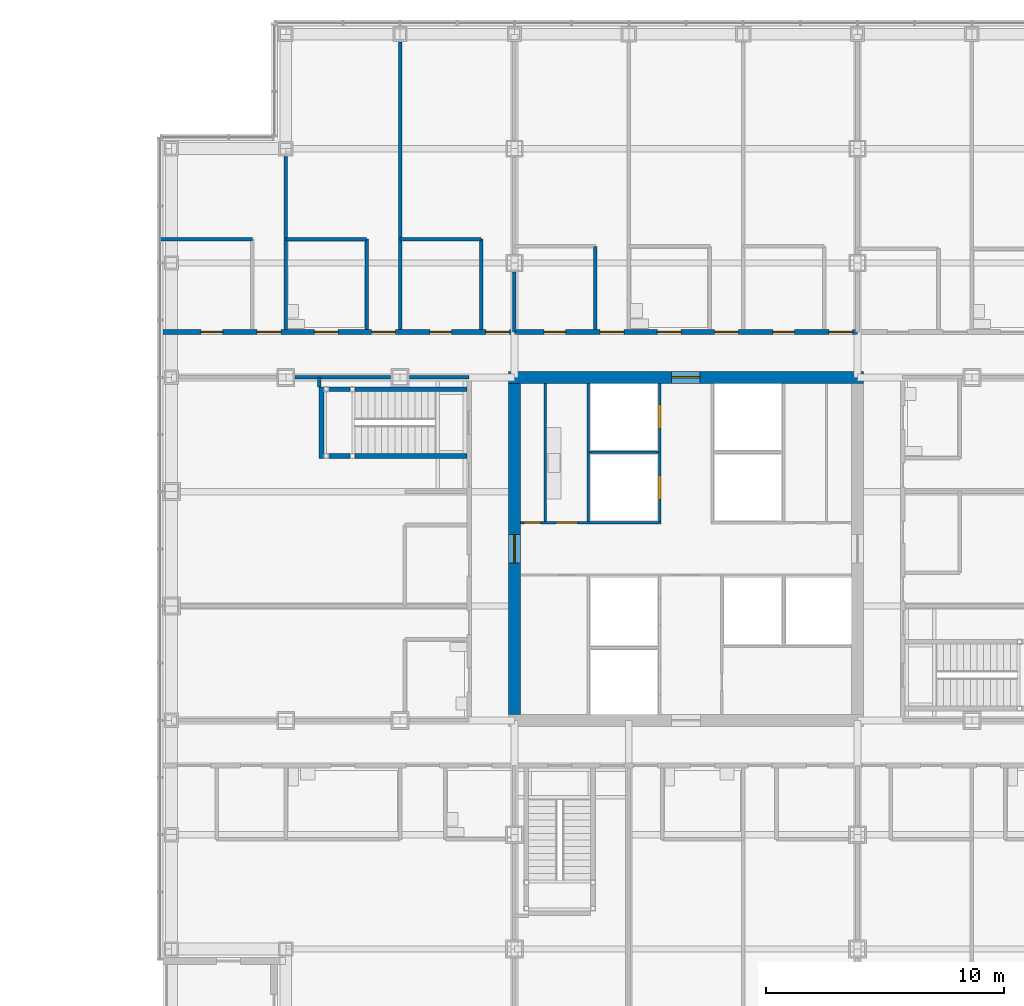
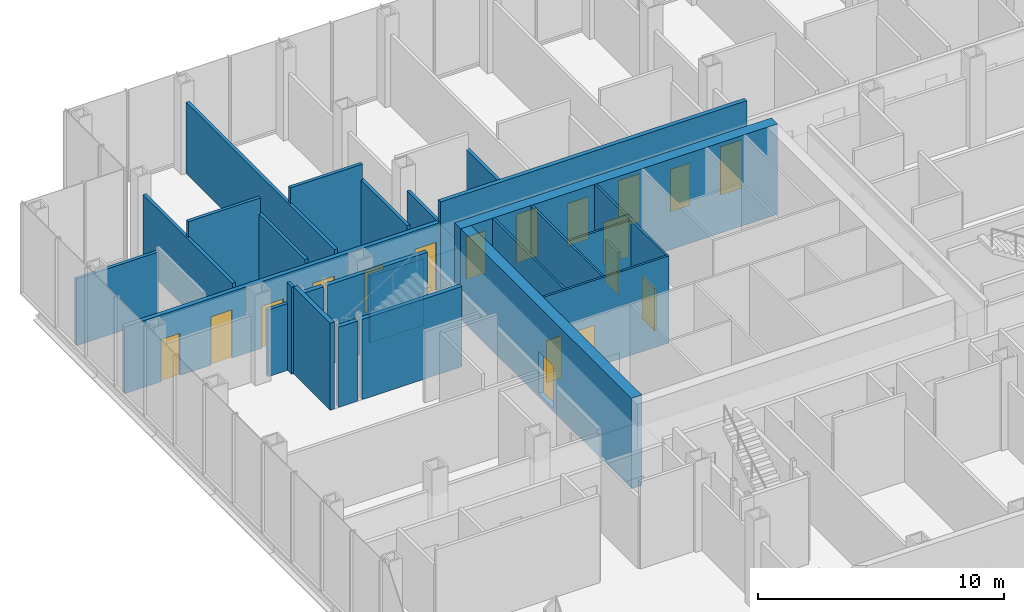
# One storey, part 18 of 24: 26 walls, 18 doors, 18 openings.
"""IFC4 building model written with IfcOpenShell, lengths in metres."""

from ifc_helpers import new_model, si_unit, direction, frame, frame_2d, origin, place, context, subcontext, project, spatial, rectangle, extrude, material, layer, layer_set, type_object, element, fill, save


model = new_model("IFC4")

# Units and contexts
model_context = context("Model", 3, precision=1e-05, world=origin(), true_north=direction((0.0, 1.0)))
body_context = subcontext(model_context, "Body", "Model", "MODEL_VIEW")
ifc_project = project(units=[si_unit("LENGTHUNIT", "METRE"), si_unit("AREAUNIT", "SQUARE_METRE"), si_unit("VOLUMEUNIT", "CUBIC_METRE"), si_unit("PLANEANGLEUNIT", "RADIAN"), si_unit("MASSUNIT", "GRAM", prefix="KILO")], contexts=[model_context])

# Site, building, storey
site_placement = place(None, origin())
site = spatial("IfcSite", under=ifc_project, at=site_placement, CompositionType="ELEMENT")
building_placement = place(site_placement, origin())
building = spatial("IfcBuilding", under=site, at=building_placement, Name="Kvirike Care Tower", CompositionType="ELEMENT")
storey_placement = place(building_placement, frame((0.0, 0.0, 22.5)))
storey = spatial("IfcBuildingStorey", under=building, at=storey_placement, Name="L05", CompositionType="ELEMENT", Elevation=22.5)

# Walls
ifc_material_1 = material(Name="Plasterboard partition", Category="gypsum")
ifc_layer_1 = layer(ifc_material_1, 0.14990234375)
ifc_layer_set_1 = layer_set([ifc_layer_1], Name="CLINIC PARTITION 150")
wall_type_1 = type_object("IfcWallType", Name="CLINIC PARTITION 150", PredefinedType="PARTITIONING", material=ifc_layer_set_1)
wall_1_placement = place(storey_placement, frame((6.199951171875, 43.199951171875, 0.0), z_axis=(0.0, 0.0, 1.0), x_axis=(0.0, -1.0, 0.0)))
element("IfcWall", 1, at=wall_1_placement, inside=storey, type_object=wall_type_1, Name="Clinic Partition 150 L05", PredefinedType="PARTITIONING", context=body_context, shape_type="SweptSolid", body=[
    extrude(rectangle(XDim=0.39990234375, YDim=0.14990234375, at=frame_2d((0.199951171875, 0.0))), origin(), (0.0, 0.0, 1.0), 4.330078125),
])
wall_2_placement = place(storey_placement, frame((13.0, 49.0, 0.0), z_axis=(0.0, 0.0, 1.0), x_axis=(0.0, -1.0, 0.0)))
element("IfcWall", 2, at=wall_2_placement, inside=storey, type_object=wall_type_1, Name="Clinic Partition 150 L05", PredefinedType="PARTITIONING", context=body_context, shape_type="SweptSolid", body=[
    extrude(rectangle(XDim=3.800048828125, YDim=0.14990234375, at=frame_2d((1.89990234375, 0.0))), origin(), (0.0, 0.0, 1.0), 3.550048828125),
])
wall_3_placement = place(storey_placement, frame((13.0, 49.0, 0.0), z_axis=(0.0, 0.0, 1.0), x_axis=(-1.0, 0.0, 0.0)))
element("IfcWall", 3, at=wall_3_placement, inside=storey, type_object=wall_type_1, Name="Clinic Partition 150 L05", PredefinedType="PARTITIONING", context=body_context, shape_type="SweptSolid", body=[
    extrude(rectangle(XDim=3.39990234375, YDim=0.14990234375, at=frame_2d((1.699951171875, 0.0))), origin(), (0.0, 0.0, 1.0), 4.330078125),
])
wall_4_placement = place(storey_placement, frame((8.199951171875, 49.0, 0.0), z_axis=(0.0, 0.0, 1.0), x_axis=(0.0, -1.0, 0.0)))
element("IfcWall", 4, at=wall_4_placement, inside=storey, type_object=wall_type_1, Name="Clinic Partition 150 L05", PredefinedType="PARTITIONING", context=body_context, shape_type="SweptSolid", body=[
    extrude(rectangle(XDim=3.800048828125, YDim=0.14990234375, at=frame_2d((1.89990234375, 0.0))), origin(), (0.0, 0.0, 1.0), 3.550048828125),
])
wall_5_placement = place(storey_placement, frame((8.199951171875, 49.0, 0.0), z_axis=(0.0, 0.0, 1.0), x_axis=(-1.0, 0.0, 0.0)))
element("IfcWall", 5, at=wall_5_placement, inside=storey, type_object=wall_type_1, Name="Clinic Partition 150 L05", PredefinedType="PARTITIONING", context=body_context, shape_type="SweptSolid", body=[
    extrude(rectangle(XDim=3.39990234375, YDim=0.14990234375, at=frame_2d((1.699951171875, 0.0))), origin(), (0.0, 0.0, 1.0), 4.330078125),
])
wall_6_placement = place(storey_placement, frame((3.39990234375, 49.0, 0.0), z_axis=(0.0, 0.0, 1.0), x_axis=(-1.0, 0.0, 0.0)))
element("IfcWall", 6, at=wall_6_placement, inside=storey, type_object=wall_type_1, Name="Clinic Partition 150 L05", PredefinedType="PARTITIONING", context=body_context, shape_type="SweptSolid", body=[
    extrude(rectangle(XDim=3.85498046875, YDim=0.14990234375, at=frame_2d((1.927490234375, 0.0))), origin(), (0.0, 0.0, 1.0), 3.320068359375),
])
wall_7_placement = place(storey_placement, frame((9.60009765625, 57.280029296875, 0.0), z_axis=(0.0, 0.0, 1.0), x_axis=(0.0, -1.0, 0.0)))
element("IfcWall", 7, at=wall_7_placement, inside=storey, type_object=wall_type_1, Name="Clinic Partition 150 L05", PredefinedType="PARTITIONING", context=body_context, shape_type="SweptSolid", body=[
    extrude(rectangle(XDim=12.080078125, YDim=0.14990234375, at=frame_2d((6.0400390625, 0.0))), origin(), (0.0, 0.0, 1.0), 3.550048828125),
])
wall_8_placement = place(storey_placement, frame((4.800048828125, 52.47998046875, 0.0), z_axis=(0.0, 0.0, 1.0), x_axis=(0.0, -1.0, 0.0)))
element("IfcWall", 8, at=wall_8_placement, inside=storey, type_object=wall_type_1, Name="Clinic Partition 150 L05", PredefinedType="PARTITIONING", context=body_context, shape_type="SweptSolid", body=[
    extrude(rectangle(XDim=7.280029296875, YDim=0.14990234375, at=frame_2d((3.64013671875, 0.0))), origin(), (0.0, 0.0, 1.0), 3.550048828125),
])
wall_9_placement = place(storey_placement, frame((17.800048828125, 48.699951171875, 0.0), z_axis=(0.0, 0.0, 1.0), x_axis=(0.0, -1.0, 0.0)))
element("IfcWall", 9, at=wall_9_placement, inside=storey, type_object=wall_type_1, Name="Clinic Partition 150 L05", PredefinedType="PARTITIONING", context=body_context, shape_type="SweptSolid", body=[
    extrude(rectangle(XDim=3.5, YDim=0.14990234375, at=frame_2d((1.75, 0.0))), origin(), (0.0, 0.0, 1.0), 3.550048828125),
])
wall_10_placement = place(storey_placement, frame((12.5, 43.199951171875, 0.0), z_axis=(0.0, 0.0, 1.0), x_axis=(-1.0, 0.0, 0.0)))
element("IfcWall", 10, at=wall_10_placement, inside=storey, type_object=wall_type_1, Name="Clinic Partition 150 L05", PredefinedType="PARTITIONING", context=body_context, shape_type="SweptSolid", body=[
    extrude(rectangle(XDim=2.5048828125, YDim=0.14990234375, at=frame_2d((1.25244140625, 0.0))), origin(), (0.0, 0.0, 1.0), 3.320068359375),
])
wall_11_placement = place(storey_placement, frame((9.205078125, 43.199951171875, 0.0), z_axis=(0.0, 0.0, 1.0), x_axis=(-1.0, 0.0, 0.0)))
element("IfcWall", 11, at=wall_11_placement, inside=storey, type_object=wall_type_1, Name="Clinic Partition 150 L05", PredefinedType="PARTITIONING", context=body_context, shape_type="SweptSolid", body=[
    extrude(rectangle(XDim=4.010009765625, YDim=0.14990234375, at=frame_2d((2.0048828125, 0.0))), origin(), (0.0, 0.0, 1.0), 3.320068359375),
])
wall_12_placement = place(storey_placement, frame((14.39990234375, 45.10009765625, 0.0), z_axis=(0.0, 0.0, 1.0), x_axis=(0.0, 1.0, 0.0)))
element("IfcWall", 12, at=wall_12_placement, inside=storey, type_object=wall_type_1, Name="Clinic Partition 150 L05", PredefinedType="PARTITIONING", context=body_context, shape_type="SweptSolid", body=[
    extrude(rectangle(XDim=2.52978515625, YDim=0.14990234375, at=frame_2d((1.264892578125, 0.0))), origin(), (0.0, 0.0, 1.0), 3.320068359375),
])

# Wall, opening, door
ifc_material_2 = material(Name="Concrete C60/75", Category="concrete")
ifc_layer_2 = layer(ifc_material_2, 0.5)
ifc_layer_set_2 = layer_set([ifc_layer_2], Name="CORE WALL 500 C60-75")
wall_type_2 = type_object("IfcWallType", Name="CORE WALL 500 C60-75", PredefinedType="SHEAR", material=ifc_layer_set_2)
wall_13_placement = place(storey_placement, frame((29.050048828125, 43.199951171875, -0.169921875), z_axis=(0.0, 0.0, 1.0), x_axis=(-1.0, 0.0, 0.0)))
wall_13 = element("IfcWall", 13, at=wall_13_placement, inside=storey, type_object=wall_type_2, Name="Core wall N L05", PredefinedType="SHEAR", context=body_context, shape_type="SweptSolid", body=[
    extrude(rectangle(XDim=14.900146484375, YDim=0.5, at=frame_2d((7.4501953125, 0.0))), origin(), (0.0, 0.0, 1.0), 4.5),
])
opening_1_placement = place(wall_13_placement, frame((6.85009765625, 0.0, 0.169921875)))
opening_1 = element("IfcOpeningElement", 14, at=opening_1_placement, cuts=wall_13, Name="Opening 05-063", PredefinedType="OPENING", context=body_context, shape_type="SweptSolid", body=[
    extrude(rectangle(XDim=1.199951171875, YDim=2.10009765625, at=frame_2d((0.60009765625, 1.050048828125))), frame((0.0, 0.260498046875, 0.0), z_axis=(0.0, -1.0, 0.0), x_axis=(1.0, 0.0, 0.0)), (0.0, 0.0, 1.0), 0.52099609375),
])
ifc_material_3 = material(Name="Timber door set", Category="wood")
door_type_1 = type_object("IfcDoorType", Name="CORE DOOR 1200", OperationType="SINGLE_SWING_LEFT", PredefinedType="DOOR", material=ifc_material_3)
door_1_placement = place(opening_1_placement, origin())
door_1 = element("IfcDoor", 15, at=door_1_placement, inside=storey, type_object=door_type_1, Name="Core door N L05", OperationType="SINGLE_SWING_LEFT", OverallHeight=2.10009765625, OverallWidth=1.199951171875, PredefinedType="DOOR", context=body_context, shape_type="SweptSolid", body=[
    extrude(rectangle(XDim=1.199951171875, YDim=2.10009765625, at=frame_2d((0.60009765625, 1.050048828125))), frame((0.0, 0.02685546875, 0.0), z_axis=(0.0, -1.0, 0.0), x_axis=(1.0, 0.0, 0.0)), (0.0, 0.0, 1.0), 0.053955078125),
])
fill(opening_1, door_1)

wall_14_placement = place(storey_placement, frame((14.39990234375, 42.949951171875, -0.169921875), z_axis=(0.0, 0.0, 1.0), x_axis=(0.0, -1.0, 0.0)))
wall_14 = element("IfcWall", 16, at=wall_14_placement, inside=storey, type_object=wall_type_2, Name="Core wall W L05", PredefinedType="SHEAR", context=body_context, shape_type="SweptSolid", body=[
    extrude(rectangle(XDim=13.89990234375, YDim=0.5, at=frame_2d((6.949951171875, 0.0))), origin(), (0.0, 0.0, 1.0), 4.5),
])
opening_2_placement = place(wall_14_placement, frame((6.35009765625, 0.0, 0.169921875)))
opening_2 = element("IfcOpeningElement", 17, at=opening_2_placement, cuts=wall_14, Name="Opening 05-061", PredefinedType="OPENING", context=body_context, shape_type="SweptSolid", body=[
    extrude(rectangle(XDim=1.199951171875, YDim=2.10009765625, at=frame_2d((0.60009765625, 1.050048828125))), frame((0.0, 0.260498046875, 0.0), z_axis=(0.0, -1.0, 0.0), x_axis=(1.0, 0.0, 0.0)), (0.0, 0.0, 1.0), 0.52099609375),
])
door_2_placement = place(opening_2_placement, origin())
door_2 = element("IfcDoor", 18, at=door_2_placement, inside=storey, type_object=door_type_1, Name="Core door W L05", OperationType="SINGLE_SWING_LEFT", OverallHeight=2.10009765625, OverallWidth=1.199951171875, PredefinedType="DOOR", context=body_context, shape_type="SweptSolid", body=[
    extrude(rectangle(XDim=1.199951171875, YDim=2.10009765625, at=frame_2d((0.60009765625, 1.050048828125))), frame((0.0, 0.02685546875, 0.0), z_axis=(0.0, -1.0, 0.0), x_axis=(1.0, 0.0, 0.0)), (0.0, 0.0, 1.0), 0.053955078125),
])
fill(opening_2, door_2)

# Wall, openings, doors
ifc_material_4 = material(Name="Plasterboard corridor wall", Category="gypsum")
ifc_layer_3 = layer(ifc_material_4, 0.199951171875)
ifc_layer_set_3 = layer_set([ifc_layer_3], Name="CORRIDOR WALL 200")
wall_type_3 = type_object("IfcWallType", Name="CORRIDOR WALL 200", PredefinedType="PARTITIONING", material=ifc_layer_set_3)
wall_15_placement = place(storey_placement, frame((14.39990234375, 45.10009765625, 0.0), z_axis=(0.0, 0.0, 1.0), x_axis=(-1.0, 0.0, 0.0)))
wall_15 = element("IfcWall", 19, at=wall_15_placement, inside=storey, type_object=wall_type_3, Name="Corridor Wall 200 L05", PredefinedType="PARTITIONING", context=body_context, shape_type="SweptSolid", body=[
    extrude(rectangle(XDim=14.85498046875, YDim=0.199951171875, at=frame_2d((7.427490234375, 0.0))), origin(), (0.0, 0.0, 1.0), 3.320068359375),
])
opening_3_placement = place(wall_15_placement, frame((0.199951171875, 0.0, 0.0)))
opening_3 = element("IfcOpeningElement", 20, at=opening_3_placement, cuts=wall_15, Name="Opening 05-011", PredefinedType="OPENING", context=body_context, shape_type="SweptSolid", body=[
    extrude(rectangle(XDim=1.0, YDim=2.39990234375, at=frame_2d((0.5, 1.199951171875))), frame((0.0, 0.110595703125, 0.0), z_axis=(0.0, -1.0, 0.0), x_axis=(1.0, 0.0, 0.0)), (0.0, 0.0, 1.0), 0.220947265625),
])
opening_4_placement = place(wall_15_placement, frame((5.0, 0.0, 0.0)))
opening_4 = element("IfcOpeningElement", 21, at=opening_4_placement, cuts=wall_15, Name="Opening 05-012", PredefinedType="OPENING", context=body_context, shape_type="SweptSolid", body=[
    extrude(rectangle(XDim=1.0, YDim=2.39990234375, at=frame_2d((0.5, 1.199951171875))), frame((0.0, 0.110595703125, 0.0), z_axis=(0.0, -1.0, 0.0), x_axis=(1.0, 0.0, 0.0)), (0.0, 0.0, 1.0), 0.220947265625),
])
opening_5_placement = place(wall_15_placement, frame((9.800048828125, 0.0, 0.0)))
opening_5 = element("IfcOpeningElement", 22, at=opening_5_placement, cuts=wall_15, Name="Opening 05-013", PredefinedType="OPENING", context=body_context, shape_type="SweptSolid", body=[
    extrude(rectangle(XDim=1.0, YDim=2.39990234375, at=frame_2d((0.5, 1.199951171875))), frame((0.0, 0.110595703125, 0.0), z_axis=(0.0, -1.0, 0.0), x_axis=(1.0, 0.0, 0.0)), (0.0, 0.0, 1.0), 0.220947265625),
])
opening_6_placement = place(wall_15_placement, frame((2.64990234375, 0.0, 0.0)))
opening_6 = element("IfcOpeningElement", 23, at=opening_6_placement, cuts=wall_15, Name="Opening 05-014", PredefinedType="OPENING", context=body_context, shape_type="SweptSolid", body=[
    extrude(rectangle(XDim=0.89990234375, YDim=2.10009765625, at=frame_2d((0.449951171875, 1.050048828125))), frame((0.0, 0.110595703125, 0.0), z_axis=(0.0, -1.0, 0.0), x_axis=(1.0, 0.0, 0.0)), (0.0, 0.0, 1.0), 0.220947265625),
])
opening_7_placement = place(wall_15_placement, frame((7.39990234375, 0.0, 0.0)))
opening_7 = element("IfcOpeningElement", 24, at=opening_7_placement, cuts=wall_15, Name="Opening 05-015", PredefinedType="OPENING", context=body_context, shape_type="SweptSolid", body=[
    extrude(rectangle(XDim=1.0, YDim=2.10009765625, at=frame_2d((0.5, 1.050048828125))), frame((0.0, 0.110595703125, 0.0), z_axis=(0.0, -1.0, 0.0), x_axis=(1.0, 0.0, 0.0)), (0.0, 0.0, 1.0), 0.220947265625),
])
opening_8_placement = place(wall_15_placement, frame((12.25, 0.0, 0.0)))
opening_8 = element("IfcOpeningElement", 25, at=opening_8_placement, cuts=wall_15, Name="Opening 05-016", PredefinedType="OPENING", context=body_context, shape_type="SweptSolid", body=[
    extrude(rectangle(XDim=0.89990234375, YDim=2.10009765625, at=frame_2d((0.449951171875, 1.050048828125))), frame((0.0, 0.110595703125, 0.0), z_axis=(0.0, -1.0, 0.0), x_axis=(1.0, 0.0, 0.0)), (0.0, 0.0, 1.0), 0.220947265625),
])
ifc_material_5 = material(Name="Timber door set", Category="wood")
door_type_2 = type_object("IfcDoorType", Name="CONSULTING ROOM DOOR 1000", OperationType="SINGLE_SWING_LEFT", PredefinedType="DOOR", material=ifc_material_5)
door_3_placement = place(opening_3_placement, frame((1.0, 0.0, 0.0), z_axis=(0.0, 0.0, 1.0), x_axis=(-1.0, 0.0, 0.0)))
door_3 = element("IfcDoor", 26, at=door_3_placement, inside=storey, type_object=door_type_2, Name="Counselling room door", OperationType="SINGLE_SWING_RIGHT", OverallHeight=2.39990234375, OverallWidth=1.0, PredefinedType="DOOR", context=body_context, shape_type="SweptSolid", body=[
    extrude(rectangle(XDim=1.0, YDim=2.39990234375, at=frame_2d((0.5, 1.199951171875))), frame((0.0, 0.02685546875, 0.0), z_axis=(0.0, -1.0, 0.0), x_axis=(1.0, 0.0, 0.0)), (0.0, 0.0, 1.0), 0.053955078125),
])
fill(opening_3, door_3)
door_4_placement = place(opening_4_placement, frame((1.0, 0.0, 0.0), z_axis=(0.0, 0.0, 1.0), x_axis=(-1.0, 0.0, 0.0)))
door_4 = element("IfcDoor", 27, at=door_4_placement, inside=storey, type_object=door_type_2, Name="Vestry door", OperationType="SINGLE_SWING_LEFT", OverallHeight=2.39990234375, OverallWidth=1.0, PredefinedType="DOOR", context=body_context, shape_type="SweptSolid", body=[
    extrude(rectangle(XDim=1.0, YDim=2.39990234375, at=frame_2d((0.5, 1.199951171875))), frame((0.0, 0.02685546875, 0.0), z_axis=(0.0, -1.0, 0.0), x_axis=(1.0, 0.0, 0.0)), (0.0, 0.0, 1.0), 0.053955078125),
])
fill(opening_4, door_4)
door_5_placement = place(opening_5_placement, frame((1.0, 0.0, 0.0), z_axis=(0.0, 0.0, 1.0), x_axis=(-1.0, 0.0, 0.0)))
door_5 = element("IfcDoor", 28, at=door_5_placement, inside=storey, type_object=door_type_2, Name="Quiet room door", OperationType="SINGLE_SWING_LEFT", OverallHeight=2.39990234375, OverallWidth=1.0, PredefinedType="DOOR", context=body_context, shape_type="SweptSolid", body=[
    extrude(rectangle(XDim=1.0, YDim=2.39990234375, at=frame_2d((0.5, 1.199951171875))), frame((0.0, 0.02685546875, 0.0), z_axis=(0.0, -1.0, 0.0), x_axis=(1.0, 0.0, 0.0)), (0.0, 0.0, 1.0), 0.053955078125),
])
fill(opening_5, door_5)
ifc_material_6 = material(Name="Timber door set", Category="wood")
door_type_3 = type_object("IfcDoorType", Name="STORE DOOR 900", OperationType="SINGLE_SWING_LEFT", PredefinedType="DOOR", material=ifc_material_6)
door_6_placement = place(opening_6_placement, frame((0.89990234375, 0.0, 0.0), z_axis=(0.0, 0.0, 1.0), x_axis=(-1.0, 0.0, 0.0)))
door_6 = element("IfcDoor", 29, at=door_6_placement, inside=storey, type_object=door_type_3, Name="Store door", OperationType="SINGLE_SWING_LEFT", OverallHeight=2.10009765625, OverallWidth=0.89990234375, PredefinedType="DOOR", context=body_context, shape_type="SweptSolid", body=[
    extrude(rectangle(XDim=0.89990234375, YDim=2.10009765625, at=frame_2d((0.449951171875, 1.050048828125))), frame((0.0, 0.02685546875, 0.0), z_axis=(0.0, -1.0, 0.0), x_axis=(1.0, 0.0, 0.0)), (0.0, 0.0, 1.0), 0.053955078125),
])
fill(opening_6, door_6)
door_7_placement = place(opening_8_placement, frame((0.89990234375, 0.0, 0.0), z_axis=(0.0, 0.0, 1.0), x_axis=(-1.0, 0.0, 0.0)))
door_7 = element("IfcDoor", 30, at=door_7_placement, inside=storey, type_object=door_type_3, Name="Store door", OperationType="SINGLE_SWING_RIGHT", OverallHeight=2.10009765625, OverallWidth=0.89990234375, PredefinedType="DOOR", context=body_context, shape_type="SweptSolid", body=[
    extrude(rectangle(XDim=0.89990234375, YDim=2.10009765625, at=frame_2d((0.449951171875, 1.050048828125))), frame((0.0, 0.02685546875, 0.0), z_axis=(0.0, -1.0, 0.0), x_axis=(1.0, 0.0, 0.0)), (0.0, 0.0, 1.0), 0.053955078125),
])
fill(opening_8, door_7)
ifc_material_7 = material(Name="Timber door set", Category="wood")
door_type_4 = type_object("IfcDoorType", Name="WC DOOR 1000", OperationType="SINGLE_SWING_LEFT", PredefinedType="DOOR", material=ifc_material_7)
door_8_placement = place(opening_7_placement, frame((1.0, 0.0, 0.0), z_axis=(0.0, 0.0, 1.0), x_axis=(-1.0, 0.0, 0.0)))
door_8 = element("IfcDoor", 31, at=door_8_placement, inside=storey, type_object=door_type_4, Name="Staff WC door", OperationType="SINGLE_SWING_RIGHT", OverallHeight=2.10009765625, OverallWidth=1.0, PredefinedType="DOOR", context=body_context, shape_type="SweptSolid", body=[
    extrude(rectangle(XDim=1.0, YDim=2.10009765625, at=frame_2d((0.5, 1.050048828125))), frame((0.0, 0.02685546875, 0.0), z_axis=(0.0, -1.0, 0.0), x_axis=(1.0, 0.0, 0.0)), (0.0, 0.0, 1.0), 0.053955078125),
])
fill(opening_7, door_8)

wall_16_placement = place(storey_placement, frame((28.800048828125, 45.10009765625, 0.0), z_axis=(0.0, 0.0, 1.0), x_axis=(-1.0, 0.0, 0.0)))
wall_16 = element("IfcWall", 32, at=wall_16_placement, inside=storey, type_object=wall_type_3, Name="Corridor Wall 200 L05", PredefinedType="PARTITIONING", context=body_context, shape_type="SweptSolid", body=[
    extrude(rectangle(XDim=14.400146484375, YDim=0.199951171875, at=frame_2d((7.2001953125, 0.0))), origin(), (0.0, 0.0, 1.0), 4.330078125),
])
opening_9_placement = place(wall_16_placement, frame((0.199951171875, 0.0, 0.0)))
opening_9 = element("IfcOpeningElement", 33, at=opening_9_placement, cuts=wall_16, Name="Opening 05-023", PredefinedType="OPENING", context=body_context, shape_type="SweptSolid", body=[
    extrude(rectangle(XDim=1.0, YDim=2.39990234375, at=frame_2d((0.5, 1.199951171875))), frame((0.0, 0.110595703125, 0.0), z_axis=(0.0, -1.0, 0.0), x_axis=(1.0, 0.0, 0.0)), (0.0, 0.0, 1.0), 0.220947265625),
])
opening_10_placement = place(wall_16_placement, frame((5.0, 0.0, 0.0)))
opening_10 = element("IfcOpeningElement", 34, at=opening_10_placement, cuts=wall_16, Name="Opening 05-024", PredefinedType="OPENING", context=body_context, shape_type="SweptSolid", body=[
    extrude(rectangle(XDim=1.0, YDim=2.39990234375, at=frame_2d((0.5, 1.199951171875))), frame((0.0, 0.110595703125, 0.0), z_axis=(0.0, -1.0, 0.0), x_axis=(1.0, 0.0, 0.0)), (0.0, 0.0, 1.0), 0.220947265625),
])
opening_11_placement = place(wall_16_placement, frame((9.800048828125, 0.0, 0.0)))
opening_11 = element("IfcOpeningElement", 35, at=opening_11_placement, cuts=wall_16, Name="Opening 05-025", PredefinedType="OPENING", context=body_context, shape_type="SweptSolid", body=[
    extrude(rectangle(XDim=1.0, YDim=2.39990234375, at=frame_2d((0.5, 1.199951171875))), frame((0.0, 0.110595703125, 0.0), z_axis=(0.0, -1.0, 0.0), x_axis=(1.0, 0.0, 0.0)), (0.0, 0.0, 1.0), 0.220947265625),
])
opening_12_placement = place(wall_16_placement, frame((2.64990234375, 0.0, 0.0)))
opening_12 = element("IfcOpeningElement", 36, at=opening_12_placement, cuts=wall_16, Name="Opening 05-026", PredefinedType="OPENING", context=body_context, shape_type="SweptSolid", body=[
    extrude(rectangle(XDim=0.89990234375, YDim=2.10009765625, at=frame_2d((0.449951171875, 1.050048828125))), frame((0.0, 0.110595703125, 0.0), z_axis=(0.0, -1.0, 0.0), x_axis=(1.0, 0.0, 0.0)), (0.0, 0.0, 1.0), 0.220947265625),
])
opening_13_placement = place(wall_16_placement, frame((7.39990234375, 0.0, 0.0)))
opening_13 = element("IfcOpeningElement", 37, at=opening_13_placement, cuts=wall_16, Name="Opening 05-027", PredefinedType="OPENING", context=body_context, shape_type="SweptSolid", body=[
    extrude(rectangle(XDim=1.0, YDim=2.10009765625, at=frame_2d((0.5, 1.050048828125))), frame((0.0, 0.110595703125, 0.0), z_axis=(0.0, -1.0, 0.0), x_axis=(1.0, 0.0, 0.0)), (0.0, 0.0, 1.0), 0.220947265625),
])
opening_14_placement = place(wall_16_placement, frame((12.25, 0.0, 0.0)))
opening_14 = element("IfcOpeningElement", 38, at=opening_14_placement, cuts=wall_16, Name="Opening 05-028", PredefinedType="OPENING", context=body_context, shape_type="SweptSolid", body=[
    extrude(rectangle(XDim=0.89990234375, YDim=2.10009765625, at=frame_2d((0.449951171875, 1.050048828125))), frame((0.0, 0.110595703125, 0.0), z_axis=(0.0, -1.0, 0.0), x_axis=(1.0, 0.0, 0.0)), (0.0, 0.0, 1.0), 0.220947265625),
])
door_9_placement = place(opening_9_placement, frame((1.0, 0.0, 0.0), z_axis=(0.0, 0.0, 1.0), x_axis=(-1.0, 0.0, 0.0)))
door_9 = element("IfcDoor", 39, at=door_9_placement, inside=storey, type_object=door_type_2, Name="Fitness studio door", OperationType="SINGLE_SWING_LEFT", OverallHeight=2.39990234375, OverallWidth=1.0, PredefinedType="DOOR", context=body_context, shape_type="SweptSolid", body=[
    extrude(rectangle(XDim=1.0, YDim=2.39990234375, at=frame_2d((0.5, 1.199951171875))), frame((0.0, 0.02685546875, 0.0), z_axis=(0.0, -1.0, 0.0), x_axis=(1.0, 0.0, 0.0)), (0.0, 0.0, 1.0), 0.053955078125),
])
fill(opening_9, door_9)
door_10_placement = place(opening_10_placement, frame((1.0, 0.0, 0.0), z_axis=(0.0, 0.0, 1.0), x_axis=(-1.0, 0.0, 0.0)))
door_10 = element("IfcDoor", 40, at=door_10_placement, inside=storey, type_object=door_type_2, Name="Fitness studio door", OperationType="SINGLE_SWING_RIGHT", OverallHeight=2.39990234375, OverallWidth=1.0, PredefinedType="DOOR", context=body_context, shape_type="SweptSolid", body=[
    extrude(rectangle(XDim=1.0, YDim=2.39990234375, at=frame_2d((0.5, 1.199951171875))), frame((0.0, 0.02685546875, 0.0), z_axis=(0.0, -1.0, 0.0), x_axis=(1.0, 0.0, 0.0)), (0.0, 0.0, 1.0), 0.053955078125),
])
fill(opening_10, door_10)
door_11_placement = place(opening_11_placement, frame((1.0, 0.0, 0.0), z_axis=(0.0, 0.0, 1.0), x_axis=(-1.0, 0.0, 0.0)))
door_11 = element("IfcDoor", 41, at=door_11_placement, inside=storey, type_object=door_type_2, Name="Yoga room door", OperationType="SINGLE_SWING_RIGHT", OverallHeight=2.39990234375, OverallWidth=1.0, PredefinedType="DOOR", context=body_context, shape_type="SweptSolid", body=[
    extrude(rectangle(XDim=1.0, YDim=2.39990234375, at=frame_2d((0.5, 1.199951171875))), frame((0.0, 0.02685546875, 0.0), z_axis=(0.0, -1.0, 0.0), x_axis=(1.0, 0.0, 0.0)), (0.0, 0.0, 1.0), 0.053955078125),
])
fill(opening_11, door_11)
door_12_placement = place(opening_12_placement, frame((0.89990234375, 0.0, 0.0), z_axis=(0.0, 0.0, 1.0), x_axis=(-1.0, 0.0, 0.0)))
door_12 = element("IfcDoor", 42, at=door_12_placement, inside=storey, type_object=door_type_3, Name="Changing room door", OperationType="SINGLE_SWING_RIGHT", OverallHeight=2.10009765625, OverallWidth=0.89990234375, PredefinedType="DOOR", context=body_context, shape_type="SweptSolid", body=[
    extrude(rectangle(XDim=0.89990234375, YDim=2.10009765625, at=frame_2d((0.449951171875, 1.050048828125))), frame((0.0, 0.02685546875, 0.0), z_axis=(0.0, -1.0, 0.0), x_axis=(1.0, 0.0, 0.0)), (0.0, 0.0, 1.0), 0.053955078125),
])
fill(opening_12, door_12)
door_13_placement = place(opening_14_placement, frame((0.89990234375, 0.0, 0.0), z_axis=(0.0, 0.0, 1.0), x_axis=(-1.0, 0.0, 0.0)))
door_13 = element("IfcDoor", 43, at=door_13_placement, inside=storey, type_object=door_type_3, Name="Store door", OperationType="SINGLE_SWING_LEFT", OverallHeight=2.10009765625, OverallWidth=0.89990234375, PredefinedType="DOOR", context=body_context, shape_type="SweptSolid", body=[
    extrude(rectangle(XDim=0.89990234375, YDim=2.10009765625, at=frame_2d((0.449951171875, 1.050048828125))), frame((0.0, 0.02685546875, 0.0), z_axis=(0.0, -1.0, 0.0), x_axis=(1.0, 0.0, 0.0)), (0.0, 0.0, 1.0), 0.053955078125),
])
fill(opening_14, door_13)
door_14_placement = place(opening_13_placement, frame((1.0, 0.0, 0.0), z_axis=(0.0, 0.0, 1.0), x_axis=(-1.0, 0.0, 0.0)))
door_14 = element("IfcDoor", 44, at=door_14_placement, inside=storey, type_object=door_type_4, Name="Accessible WC door", OperationType="SINGLE_SWING_LEFT", OverallHeight=2.10009765625, OverallWidth=1.0, PredefinedType="DOOR", context=body_context, shape_type="SweptSolid", body=[
    extrude(rectangle(XDim=1.0, YDim=2.10009765625, at=frame_2d((0.5, 1.050048828125))), frame((0.0, 0.02685546875, 0.0), z_axis=(0.0, -1.0, 0.0), x_axis=(1.0, 0.0, 0.0)), (0.0, 0.0, 1.0), 0.053955078125),
])
fill(opening_13, door_14)

# Wall
ifc_material_8 = material(Name="Gypsum shaft wall system", Category="gypsum")
ifc_layer_4 = layer(ifc_material_8, 0.10009765625)
ifc_layer_set_4 = layer_set([ifc_layer_4], Name="SHAFT WALL 100")
wall_type_4 = type_object("IfcWallType", Name="SHAFT WALL 100", PredefinedType="SOLIDWALL", material=ifc_layer_set_4)
wall_17_placement = place(storey_placement, frame((15.699951171875, 37.14990234375, 0.0), z_axis=(0.0, 0.0, 1.0), x_axis=(0.0, 1.0, 0.0)))
element("IfcWall", 45, at=wall_17_placement, inside=storey, type_object=wall_type_4, Name="Shaft Wall 100 L05", PredefinedType="SOLIDWALL", context=body_context, shape_type="SweptSolid", body=[
    extrude(rectangle(XDim=5.800048828125, YDim=0.10009765625, at=frame_2d((2.89990234375, 0.0))), origin(), (0.0, 0.0, 1.0), 4.330078125),
])

# Wall, openings, doors
wall_18_placement = place(storey_placement, frame((20.5, 37.14990234375, 0.0), z_axis=(0.0, 0.0, 1.0), x_axis=(0.0, 1.0, 0.0)))
wall_18 = element("IfcWall", 46, at=wall_18_placement, inside=storey, type_object=wall_type_4, Name="Shaft Wall 100 L05", PredefinedType="SOLIDWALL", context=body_context, shape_type="SweptSolid", body=[
    extrude(rectangle(XDim=5.800048828125, YDim=0.10009765625, at=frame_2d((2.89990234375, 0.0))), origin(), (0.0, 0.0, 1.0), 4.330078125),
])
opening_15_placement = place(wall_18_placement, frame((0.925048828125, 0.0, 0.0)))
opening_15 = element("IfcOpeningElement", 47, at=opening_15_placement, cuts=wall_18, Name="Opening 05-051", PredefinedType="OPENING", context=body_context, shape_type="SweptSolid", body=[
    extrude(rectangle(XDim=1.0, YDim=2.10009765625, at=frame_2d((0.5, 1.050048828125))), frame((0.0, 0.060546875, 0.0), z_axis=(0.0, -1.0, 0.0), x_axis=(1.0, 0.0, 0.0)), (0.0, 0.0, 1.0), 0.12109375),
])
opening_16_placement = place(wall_18_placement, frame((3.89990234375, 0.0, 0.0)))
opening_16 = element("IfcOpeningElement", 48, at=opening_16_placement, cuts=wall_18, Name="Opening 05-052", PredefinedType="OPENING", context=body_context, shape_type="SweptSolid", body=[
    extrude(rectangle(XDim=1.0, YDim=2.10009765625, at=frame_2d((0.5, 1.050048828125))), frame((0.0, 0.060546875, 0.0), z_axis=(0.0, -1.0, 0.0), x_axis=(1.0, 0.0, 0.0)), (0.0, 0.0, 1.0), 0.12109375),
])
ifc_material_9 = material(Name="Aluminium door frame", Category="aluminium")
door_type_5 = type_object("IfcDoorType", Name="LIFT LANDING DOOR 1000", OperationType="SLIDING_TO_LEFT", PredefinedType="DOOR", material=ifc_material_9)
door_15_placement = place(opening_15_placement, origin())
door_15 = element("IfcDoor", 49, at=door_15_placement, inside=storey, type_object=door_type_5, Name="Lift P1 landing door", OperationType="SLIDING_TO_LEFT", OverallHeight=2.10009765625, OverallWidth=1.0, PredefinedType="DOOR", context=body_context, shape_type="SweptSolid", body=[
    extrude(rectangle(XDim=1.0, YDim=2.10009765625, at=frame_2d((0.5, 1.050048828125))), frame((0.0, 0.0498046875, 0.0), z_axis=(0.0, -1.0, 0.0), x_axis=(1.0, 0.0, 0.0)), (0.0, 0.0, 1.0), 0.099609375),
])
fill(opening_15, door_15)
door_16_placement = place(opening_16_placement, origin())
door_16 = element("IfcDoor", 50, at=door_16_placement, inside=storey, type_object=door_type_5, Name="Lift P2 landing door", OperationType="SLIDING_TO_LEFT", OverallHeight=2.10009765625, OverallWidth=1.0, PredefinedType="DOOR", context=body_context, shape_type="SweptSolid", body=[
    extrude(rectangle(XDim=1.0, YDim=2.10009765625, at=frame_2d((0.5, 1.050048828125))), frame((0.0, 0.0498046875, 0.0), z_axis=(0.0, -1.0, 0.0), x_axis=(1.0, 0.0, 0.0)), (0.0, 0.0, 1.0), 0.099609375),
])
fill(opening_16, door_16)

wall_19_placement = place(storey_placement, frame((14.64990234375, 37.10009765625, 0.0), z_axis=(0.0, 0.0, 1.0), x_axis=(1.0, 0.0, 0.0)))
wall_19 = element("IfcWall", 51, at=wall_19_placement, inside=storey, type_object=wall_type_4, Name="Shaft Wall 100 L05", PredefinedType="SOLIDWALL", context=body_context, shape_type="SweptSolid", body=[
    extrude(rectangle(XDim=5.900146484375, YDim=0.10009765625, at=frame_2d((2.9501953125, 0.0))), origin(), (0.0, 0.0, 1.0), 4.330078125),
])
opening_17_placement = place(wall_19_placement, frame((0.14990234375, 0.0, 0.0)))
opening_17 = element("IfcOpeningElement", 52, at=opening_17_placement, cuts=wall_19, Name="Opening 05-055", PredefinedType="OPENING", context=body_context, shape_type="SweptSolid", body=[
    extrude(rectangle(XDim=0.699951171875, YDim=2.10009765625, at=frame_2d((0.35009765625, 1.050048828125))), frame((0.0, 0.060546875, 0.0), z_axis=(0.0, -1.0, 0.0), x_axis=(1.0, 0.0, 0.0)), (0.0, 0.0, 1.0), 0.12109375),
])
opening_18_placement = place(wall_19_placement, frame((1.5, 0.0, 0.0)))
opening_18 = element("IfcOpeningElement", 53, at=opening_18_placement, cuts=wall_19, Name="Opening 05-056", PredefinedType="OPENING", context=body_context, shape_type="SweptSolid", body=[
    extrude(rectangle(XDim=0.89990234375, YDim=2.10009765625, at=frame_2d((0.449951171875, 1.050048828125))), frame((0.0, 0.060546875, 0.0), z_axis=(0.0, -1.0, 0.0), x_axis=(1.0, 0.0, 0.0)), (0.0, 0.0, 1.0), 0.12109375),
])
ifc_material_10 = material(Name="Timber door set", Category="wood")
door_type_6 = type_object("IfcDoorType", Name="RISER DOOR 700", OperationType="SINGLE_SWING_LEFT", PredefinedType="DOOR", material=ifc_material_10)
door_17_placement = place(opening_17_placement, origin())
door_17 = element("IfcDoor", 54, at=door_17_placement, inside=storey, type_object=door_type_6, Name="Riser door", OperationType="SINGLE_SWING_RIGHT", OverallHeight=2.10009765625, OverallWidth=0.699951171875, PredefinedType="DOOR", context=body_context, shape_type="SweptSolid", body=[
    extrude(rectangle(XDim=0.699951171875, YDim=2.10009765625, at=frame_2d((0.35009765625, 1.050048828125))), frame((0.0, 0.02685546875, 0.0), z_axis=(0.0, -1.0, 0.0), x_axis=(1.0, 0.0, 0.0)), (0.0, 0.0, 1.0), 0.053955078125),
])
fill(opening_17, door_17)
door_18_placement = place(opening_18_placement, origin())
door_18 = element("IfcDoor", 55, at=door_18_placement, inside=storey, type_object=door_type_3, Name="Resident pantry door", OperationType="SINGLE_SWING_LEFT", OverallHeight=2.10009765625, OverallWidth=0.89990234375, PredefinedType="DOOR", context=body_context, shape_type="SweptSolid", body=[
    extrude(rectangle(XDim=0.89990234375, YDim=2.10009765625, at=frame_2d((0.449951171875, 1.050048828125))), frame((0.0, 0.02685546875, 0.0), z_axis=(0.0, -1.0, 0.0), x_axis=(1.0, 0.0, 0.0)), (0.0, 0.0, 1.0), 0.053955078125),
])
fill(opening_18, door_18)

# Walls
wall_20_placement = place(storey_placement, frame((17.5, 37.14990234375, 0.0), z_axis=(0.0, 0.0, 1.0), x_axis=(0.0, 1.0, 0.0)))
element("IfcWall", 56, at=wall_20_placement, inside=storey, type_object=wall_type_4, Name="Shaft Wall 100 L05", PredefinedType="SOLIDWALL", context=body_context, shape_type="SweptSolid", body=[
    extrude(rectangle(XDim=5.800048828125, YDim=0.10009765625, at=frame_2d((2.89990234375, 0.0))), origin(), (0.0, 0.0, 1.0), 4.330078125),
])
wall_21_placement = place(storey_placement, frame((17.550048828125, 40.050048828125, 0.0), z_axis=(0.0, 0.0, 1.0), x_axis=(1.0, 0.0, 0.0)))
element("IfcWall", 57, at=wall_21_placement, inside=storey, type_object=wall_type_4, Name="Shaft Wall 100 L05", PredefinedType="SOLIDWALL", context=body_context, shape_type="SweptSolid", body=[
    extrude(rectangle(XDim=2.89990234375, YDim=0.10009765625, at=frame_2d((1.449951171875, 0.0))), origin(), (0.0, 0.0, 1.0), 4.330078125),
])
ifc_material_11 = material(Name="Concrete C40/50", Category="concrete")
ifc_layer_5 = layer(ifc_material_11, 0.199951171875)
ifc_layer_set_5 = layer_set([ifc_layer_5], Name="STAIR WALL 200")
wall_type_5 = type_object("IfcWallType", Name="STAIR WALL 200", PredefinedType="SOLIDWALL", material=ifc_layer_set_5)
wall_22_placement = place(storey_placement, frame((6.60009765625, 42.699951171875, 0.0), z_axis=(0.0, 0.0, 1.0), x_axis=(1.0, 0.0, 0.0)))
element("IfcWall", 58, at=wall_22_placement, inside=storey, type_object=wall_type_5, Name="Stair Wall 200 L05", PredefinedType="SOLIDWALL", context=body_context, shape_type="SweptSolid", body=[
    extrude(rectangle(XDim=0.89990234375, YDim=0.199951171875, at=frame_2d((0.449951171875, 0.0))), origin(), (0.0, 0.0, 1.0), 3.989990234375),
])
wall_23_placement = place(storey_placement, frame((7.699951171875, 42.699951171875, 0.0), z_axis=(0.0, 0.0, 1.0), x_axis=(1.0, 0.0, 0.0)))
element("IfcWall", 59, at=wall_23_placement, inside=storey, type_object=wall_type_5, Name="Stair Wall 200 L05", PredefinedType="SOLIDWALL", context=body_context, shape_type="SweptSolid", body=[
    extrude(rectangle(XDim=4.699951171875, YDim=0.199951171875, at=frame_2d((2.35009765625, 0.0))), origin(), (0.0, 0.0, 1.0), 3.989990234375),
])
wall_24_placement = place(storey_placement, frame((6.60009765625, 39.89990234375, 0.0), z_axis=(0.0, 0.0, 1.0), x_axis=(1.0, 0.0, 0.0)))
element("IfcWall", 60, at=wall_24_placement, inside=storey, type_object=wall_type_5, Name="Stair Wall 200 L05", PredefinedType="SOLIDWALL", context=body_context, shape_type="SweptSolid", body=[
    extrude(rectangle(XDim=0.89990234375, YDim=0.199951171875, at=frame_2d((0.449951171875, 0.0))), origin(), (0.0, 0.0, 1.0), 3.989990234375),
])
wall_25_placement = place(storey_placement, frame((7.699951171875, 39.89990234375, 0.0), z_axis=(0.0, 0.0, 1.0), x_axis=(1.0, 0.0, 0.0)))
element("IfcWall", 61, at=wall_25_placement, inside=storey, type_object=wall_type_5, Name="Stair Wall 200 L05", PredefinedType="SOLIDWALL", context=body_context, shape_type="SweptSolid", body=[
    extrude(rectangle(XDim=4.699951171875, YDim=0.199951171875, at=frame_2d((2.35009765625, 0.0))), origin(), (0.0, 0.0, 1.0), 3.989990234375),
])
wall_26_placement = place(storey_placement, frame((6.300048828125, 42.800048828125, 0.0), z_axis=(0.0, 0.0, 1.0), x_axis=(0.0, -1.0, 0.0)))
element("IfcWall", 62, at=wall_26_placement, inside=storey, type_object=wall_type_5, Name="Stair Wall 200 L05", PredefinedType="SOLIDWALL", context=body_context, shape_type="SweptSolid", body=[
    extrude(rectangle(XDim=3.0, YDim=0.199951171875, at=frame_2d((1.5, 0.0))), origin(), (0.0, 0.0, 1.0), 4.330078125),
])

save(model, "model.ifc")
